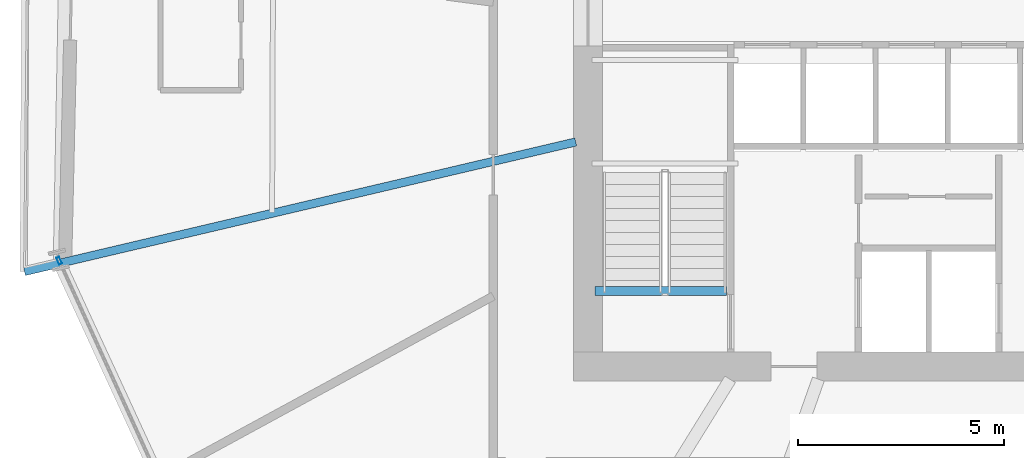
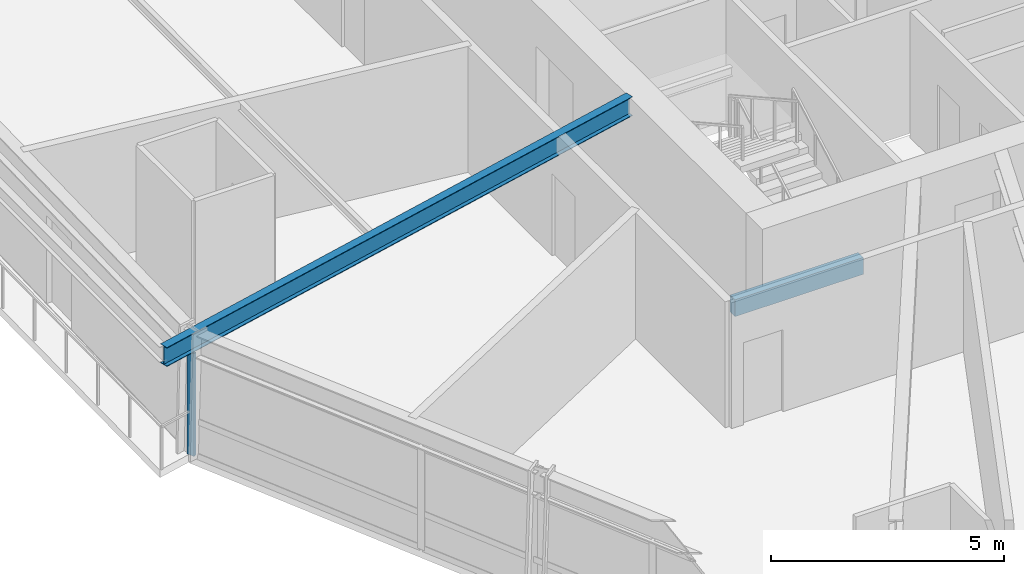
# One storey, part 4 of 21: 2 beams, 1 member, 1 element without a shape of its own.
"""IFC4 building model written with IfcOpenShell, lengths in metres."""

from ifc_helpers import new_model, si_unit, direction, frame, origin, origin_2d, place, context, subcontext, project, spatial, rectangle, hollow_rectangle, i_section, extrude, source, transform, mapped, material, material_profile, profile_set, type_object, element, aggregate, save


model = new_model("IFC4")

# Units and contexts
model_context = context("Model", 3, precision=1e-05, world=origin(), true_north=direction((0.0, 1.0)))
body_context = subcontext(model_context, "Body", "Model", "MODEL_VIEW")
ifc_project = project(units=[si_unit("LENGTHUNIT", "METRE"), si_unit("AREAUNIT", "SQUARE_METRE"), si_unit("VOLUMEUNIT", "CUBIC_METRE"), si_unit("PLANEANGLEUNIT", "RADIAN"), si_unit("MASSUNIT", "GRAM", prefix="KILO")], contexts=[model_context])

# Site, building, storey
site_placement = place(None, origin())
site = spatial("IfcSite", under=ifc_project, at=site_placement, CompositionType="ELEMENT")
building_placement = place(site_placement, origin())
building = spatial("IfcBuilding", under=site, at=building_placement, Name="Olszyna Solenne Hotel", CompositionType="ELEMENT")
storey_placement = place(building_placement, frame((0.0, 0.0, 91.5)))
storey = spatial("IfcBuildingStorey", under=building, at=storey_placement, Name="L23", CompositionType="ELEMENT", Elevation=91.5)

# Beam
ifc_material_1 = material(Name="Steel S355J2", Category="steel")
ifc_material_profile_1 = material_profile(ifc_material_1, i_section(OverallWidth=0.199951171875, OverallDepth=0.5, WebThickness=0.01025390625, FlangeThickness=0.01611328125, at=origin_2d()), Name="IPE 500", Category="load-bearing")
ifc_profile_set_1 = profile_set([ifc_material_profile_1], Name="Steel S355J2")
beam_type_1 = type_object("IfcBeamType", Name="BM-F3", PredefinedType="BEAM", material=ifc_profile_set_1)
shared_shape_1 = source(origin(), body_context, "Body", "SweptSolid", [
    extrude(i_section(OverallWidth=0.199951171875, OverallDepth=0.5, WebThickness=0.01025390625, FlangeThickness=0.01611328125, at=origin_2d()), origin(), (0.0, 0.0, 1.0), 13.7177734375),
])
beam_1_placement = place(storey_placement, frame((16.0947265625, 21.455078125, 3.050048828125), z_axis=(0.973477120628, 0.228784386736, 0.0), x_axis=(-0.228784386736, 0.973477120628, 0.0)))
element("IfcBeam", 1, at=beam_1_placement, inside=storey, type_object=beam_type_1, Name="Radial floor girder BM-F3 B-L23-0708", PredefinedType="BEAM", context=body_context, shape_type="MappedRepresentation", body=[
    mapped(shared_shape_1, transform((0.0, 0.0, 0.0), x_axis=(1.0, 0.0, 0.0), y_axis=(0.0, 1.0, 0.0), z_axis=(0.0, 0.0, 1.0), scale=1.0)),
])

# Curtain wall, member
ifc_material_2 = material(Name="Anodised bronze aluminium", Category="aluminium")
curtain_wall_type = type_object("IfcCurtainWallType", Name="CW-SYS-3", PredefinedType="NOTDEFINED", material=ifc_material_2)
curtain_wall_placement = place(storey_placement, origin())
curtain_wall = element("IfcCurtainWall", 2, at=curtain_wall_placement, inside=storey, type_object=curtain_wall_type, Name="Unitised curtain wall CW-SYS-3 CW-L23-01", PredefinedType="NOTDEFINED")
ifc_material_profile_2 = material_profile(ifc_material_2, hollow_rectangle(XDim=0.074951171875, YDim=0.179931640625, WallThickness=0.00439453125, at=origin_2d()), Name="MULL 180x75x4.5", Category="load-bearing")
ifc_profile_set_2 = profile_set([ifc_material_profile_2], Name="Anodised bronze aluminium")
member_type = type_object("IfcMemberType", Name="CW-M2", PredefinedType="MULLION", material=ifc_profile_set_2)
shared_shape_2 = source(origin(), body_context, "Body", "SweptSolid", [
    extrude(hollow_rectangle(XDim=0.074951171875, YDim=0.179931640625, WallThickness=0.00439453125, at=origin_2d()), origin(), (0.0, 0.0, 1.0), 2.69189453125),
])
member_placement = place(storey_placement, frame((16.935302734375, 21.71630859375, 0.0), z_axis=(0.0, 0.0, 1.0), x_axis=(0.909903789237, 0.414819351443, 0.0)))
member = element("IfcMember", 3, at=member_placement, type_object=member_type, Name="Curtain-wall mullion CW-M2 CM-L23-01-01", PredefinedType="MULLION", context=body_context, shape_type="MappedRepresentation", body=[
    mapped(shared_shape_2, transform((0.0, 0.0, 0.0), x_axis=(1.0, 0.0, 0.0), y_axis=(0.0, 1.0, 0.0), z_axis=(0.0, 0.0, 1.0), scale=1.0)),
])
aggregate(curtain_wall, [member])

# Beam
ifc_material_3 = material(Name="Concrete C50/60", Category="concrete")
ifc_material_profile_3 = material_profile(ifc_material_3, rectangle(XDim=0.219970703125, YDim=0.43994140625, at=origin_2d()), Name="RC 220x440", Category="load-bearing")
ifc_profile_set_3 = profile_set([ifc_material_profile_3], Name="Concrete C50/60")
beam_type_2 = type_object("IfcBeamType", Name="BM-ST1", PredefinedType="BEAM", material=ifc_profile_set_3)
shared_shape_3 = source(origin(), body_context, "Body", "SweptSolid", [
    extrude(rectangle(XDim=0.219970703125, YDim=0.43994140625, at=origin_2d()), origin(), (0.0, 0.0, 1.0), 3.18017578125),
])
beam_2_placement = place(storey_placement, frame((33.10009765625, 20.97998046875, -0.205078125), z_axis=(-1.0, 0.0, 0.0), x_axis=(0.0, -1.0, 0.0)))
element("IfcBeam", 4, at=beam_2_placement, inside=storey, type_object=beam_type_2, Name="Concrete stair trimmer beam BM-ST1 SHB-ST1-0185", PredefinedType="BEAM", context=body_context, shape_type="MappedRepresentation", body=[
    mapped(shared_shape_3, transform((0.0, 0.0, 0.0), x_axis=(1.0, 0.0, 0.0), y_axis=(0.0, 1.0, 0.0), z_axis=(0.0, 0.0, 1.0), scale=1.0)),
])

save(model, "model.ifc")
